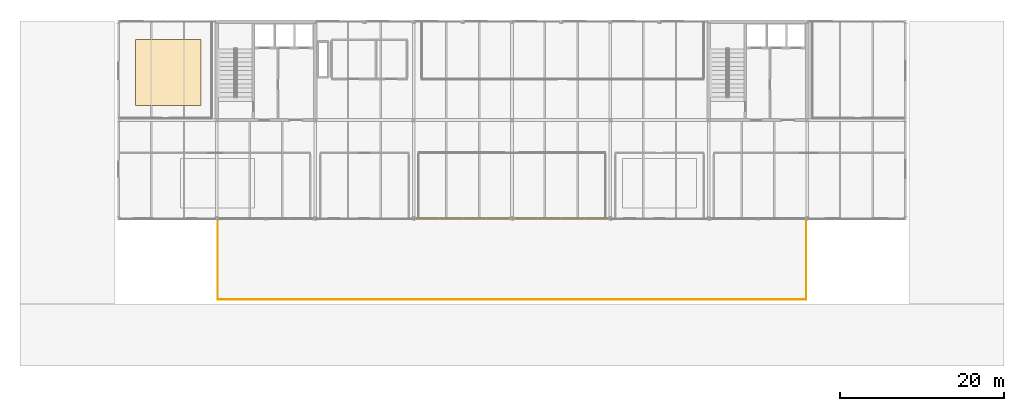
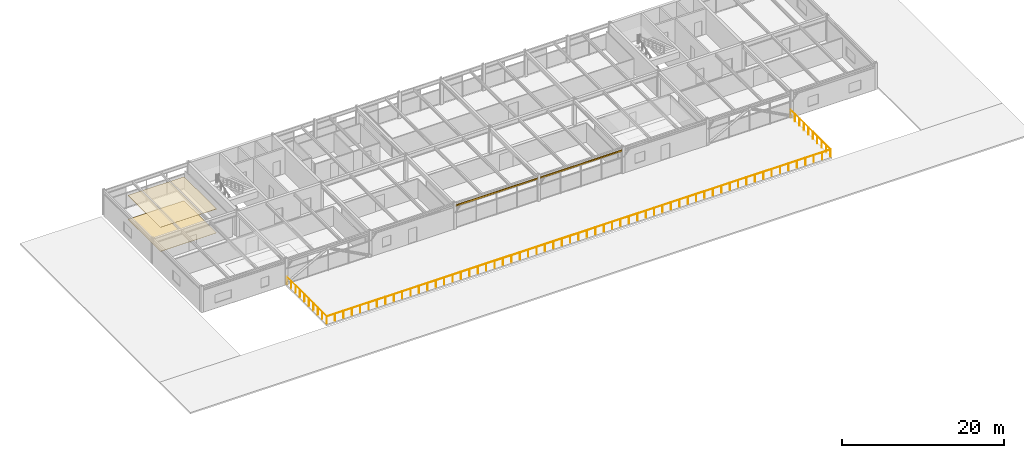
# One storey, part 28 of 30: 2 coverings, 2 shading devices, 1 railing.
"""IFC4 building model written with IfcOpenShell, lengths in metres."""

from ifc_helpers import new_model, si_unit, direction, frame, origin, origin_2d, place, context, subcontext, project, spatial, rectangle, circle, extrude, material, layer, layer_set, type_object, element, save


model = new_model("IFC4")

# Units and contexts
model_context = context("Model", 3, precision=1e-05, world=origin(), true_north=direction((0.0, 1.0)))
body_context = subcontext(model_context, "Body", "Model", "MODEL_VIEW")
ifc_project = project(units=[si_unit("LENGTHUNIT", "METRE"), si_unit("AREAUNIT", "SQUARE_METRE"), si_unit("VOLUMEUNIT", "CUBIC_METRE"), si_unit("PLANEANGLEUNIT", "RADIAN"), si_unit("MASSUNIT", "GRAM", prefix="KILO")], contexts=[model_context])

# Site, building, storey
site_placement = place(None, origin())
site = spatial("IfcSite", under=ifc_project, at=site_placement, CompositionType="ELEMENT")
building_placement = place(site_placement, origin())
building = spatial("IfcBuilding", under=site, at=building_placement, Name="Girod Span Mobility Hub", CompositionType="ELEMENT")
storey_placement = place(building_placement, frame((0.0, 0.0, 49.60009765625)))
storey = spatial("IfcBuildingStorey", under=building, at=storey_placement, Name="L12", CompositionType="ELEMENT", Elevation=49.60009765625)

# Coverings
ifc_material_1 = material(Name="Perforated Mineral-Fibre Acoustic Ceiling Tile", Category="mineral")
ifc_layer_1 = layer(ifc_material_1, 0.0400390625)
ifc_layer_set_1 = layer_set([ifc_layer_1], Name="Perforated Mineral-Fibre Acoustic Ceiling Tile")
covering_type_1 = type_object("IfcCoveringType", Name="COV-CLG-800X800", PredefinedType="CEILING", material=ifc_layer_set_1)
covering_1_placement = place(storey_placement, frame((42.10009765625, 62.800048828125, 3.60498046875), z_axis=(0.0, 0.0, 1.0), x_axis=(1.0, 0.0, 0.0)))
element("IfcCovering", 1, at=covering_1_placement, inside=storey, type_object=covering_type_1, Name="Planning Studio North West L12 Acoustic Ceiling", PredefinedType="CEILING", context=body_context, shape_type="SweptSolid", body=[
    extrude(rectangle(XDim=8.0, YDim=8.0, at=origin_2d()), origin(), (0.0, 0.0, 1.0), 0.0400390625),
])
ifc_material_2 = material(Name="Epoxy Terrazzo and Raised Access Flooring", Category="polymer")
ifc_layer_2 = layer(ifc_material_2, 0.034912109375)
ifc_layer_set_2 = layer_set([ifc_layer_2], Name="Epoxy Terrazzo and Raised Access Flooring")
covering_type_2 = type_object("IfcCoveringType", Name="COV-FLR-800X800", PredefinedType="FLOORING", material=ifc_layer_set_2)
covering_2_placement = place(storey_placement, frame((42.10009765625, 62.800048828125, 0.0), z_axis=(0.0, 0.0, 1.0), x_axis=(1.0, 0.0, 0.0)))
element("IfcCovering", 2, at=covering_2_placement, inside=storey, type_object=covering_type_2, Name="Planning Studio North West L12 Floor Finish", PredefinedType="FLOORING", context=body_context, shape_type="SweptSolid", body=[
    extrude(rectangle(XDim=8.0, YDim=8.0, at=origin_2d()), origin(), (0.0, 0.0, 1.0), 0.034912109375),
])

# Railing
ifc_material_3 = material(Name="Anodised Aluminium Alloy 6063-T6", Category="aluminium")
ifc_layer_3 = layer(ifc_material_3, 0.070068359375)
ifc_layer_set_3 = layer_set([ifc_layer_3], Name="Anodised Aluminium Alloy 6063-T6")
railing_type = type_object("IfcRailingType", Name="RL-BAL-1140", PredefinedType="BALUSTRADE", material=ifc_layer_set_3)
railing_placement = place(storey_placement, frame((48.1201171875, 44.9599609375, 0.0)))
element("IfcRailing", 3, at=railing_placement, inside=storey, type_object=railing_type, Name="South Boulevard Sky Terrace Perimeter Balustrade", PredefinedType="BALUSTRADE", context=body_context, shape_type="SweptSolid", body=[
    extrude(circle(Radius=0.02392578125, at=origin_2d()), frame((0.0, 0.0, 1.11572265625), z_axis=(0.0, -1.0, 0.0), x_axis=(1.0, 0.0, 0.0)), (0.0, 0.0, 1.0), 9.83984375),
    extrude(circle(Radius=0.02392578125, at=origin_2d()), frame((0.0, -9.83984375, 1.11572265625), z_axis=(1.0, 0.0, 0.0), x_axis=(0.0, 1.0, 0.0)), (0.0, 0.0, 1.0), 71.759765625),
    extrude(circle(Radius=0.02392578125, at=origin_2d()), frame((71.759765625, -9.83984375, 1.11572265625), z_axis=(0.0, 1.0, 0.0), x_axis=(-1.0, 0.0, 0.0)), (0.0, 0.0, 1.0), 9.83984375),
    extrude(circle(Radius=0.02099609375, at=origin_2d()), origin(), (0.0, 0.0, 1.0), 1.091796875),
    extrude(circle(Radius=0.02099609375, at=origin_2d()), frame((0.0, -1.09326171875, 0.0)), (0.0, 0.0, 1.0), 1.091796875),
    extrude(circle(Radius=0.02099609375, at=origin_2d()), frame((0.0, -2.1865234375, 0.0)), (0.0, 0.0, 1.0), 1.091796875),
    extrude(circle(Radius=0.02099609375, at=origin_2d()), frame((0.0, -3.280029296875, 0.0)), (0.0, 0.0, 1.0), 1.091796875),
    extrude(circle(Radius=0.02099609375, at=origin_2d()), frame((0.0, -4.373291015625, 0.0)), (0.0, 0.0, 1.0), 1.091796875),
    extrude(circle(Radius=0.02099609375, at=origin_2d()), frame((0.0, -5.466552734375, 0.0)), (0.0, 0.0, 1.0), 1.091796875),
    extrude(circle(Radius=0.02099609375, at=origin_2d()), frame((0.0, -6.559814453125, 0.0)), (0.0, 0.0, 1.0), 1.091796875),
    extrude(circle(Radius=0.02099609375, at=origin_2d()), frame((0.0, -7.6533203125, 0.0)), (0.0, 0.0, 1.0), 1.091796875),
    extrude(circle(Radius=0.02099609375, at=origin_2d()), frame((0.0, -8.74658203125, 0.0)), (0.0, 0.0, 1.0), 1.091796875),
    extrude(circle(Radius=0.02099609375, at=origin_2d()), frame((0.0, -9.83984375, 0.0)), (0.0, 0.0, 1.0), 1.091796875),
    extrude(circle(Radius=0.02099609375, at=origin_2d()), frame((1.196044921875, -9.83984375, 0.0)), (0.0, 0.0, 1.0), 1.091796875),
    extrude(circle(Radius=0.02099609375, at=origin_2d()), frame((2.39208984375, -9.83984375, 0.0)), (0.0, 0.0, 1.0), 1.091796875),
    extrude(circle(Radius=0.02099609375, at=origin_2d()), frame((3.587890625, -9.83984375, 0.0)), (0.0, 0.0, 1.0), 1.091796875),
    extrude(circle(Radius=0.02099609375, at=origin_2d()), frame((4.783935546875, -9.83984375, 0.0)), (0.0, 0.0, 1.0), 1.091796875),
    extrude(circle(Radius=0.02099609375, at=origin_2d()), frame((5.97998046875, -9.83984375, 0.0)), (0.0, 0.0, 1.0), 1.091796875),
    extrude(circle(Radius=0.02099609375, at=origin_2d()), frame((7.176025390625, -9.83984375, 0.0)), (0.0, 0.0, 1.0), 1.091796875),
    extrude(circle(Radius=0.02099609375, at=origin_2d()), frame((8.3720703125, -9.83984375, 0.0)), (0.0, 0.0, 1.0), 1.091796875),
    extrude(circle(Radius=0.02099609375, at=origin_2d()), frame((9.56787109375, -9.83984375, 0.0)), (0.0, 0.0, 1.0), 1.091796875),
    extrude(circle(Radius=0.02099609375, at=origin_2d()), frame((10.763916015625, -9.83984375, 0.0)), (0.0, 0.0, 1.0), 1.091796875),
    extrude(circle(Radius=0.02099609375, at=origin_2d()), frame((11.9599609375, -9.83984375, 0.0)), (0.0, 0.0, 1.0), 1.091796875),
    extrude(circle(Radius=0.02099609375, at=origin_2d()), frame((13.156005859375, -9.83984375, 0.0)), (0.0, 0.0, 1.0), 1.091796875),
    extrude(circle(Radius=0.02099609375, at=origin_2d()), frame((14.35205078125, -9.83984375, 0.0)), (0.0, 0.0, 1.0), 1.091796875),
    extrude(circle(Radius=0.02099609375, at=origin_2d()), frame((15.5478515625, -9.83984375, 0.0)), (0.0, 0.0, 1.0), 1.091796875),
    extrude(circle(Radius=0.02099609375, at=origin_2d()), frame((16.743896484375, -9.83984375, 0.0)), (0.0, 0.0, 1.0), 1.091796875),
    extrude(circle(Radius=0.02099609375, at=origin_2d()), frame((17.93994140625, -9.83984375, 0.0)), (0.0, 0.0, 1.0), 1.091796875),
    extrude(circle(Radius=0.02099609375, at=origin_2d()), frame((19.135986328125, -9.83984375, 0.0)), (0.0, 0.0, 1.0), 1.091796875),
    extrude(circle(Radius=0.02099609375, at=origin_2d()), frame((20.33203125, -9.83984375, 0.0)), (0.0, 0.0, 1.0), 1.091796875),
    extrude(circle(Radius=0.02099609375, at=origin_2d()), frame((21.52783203125, -9.83984375, 0.0)), (0.0, 0.0, 1.0), 1.091796875),
    extrude(circle(Radius=0.02099609375, at=origin_2d()), frame((22.723876953125, -9.83984375, 0.0)), (0.0, 0.0, 1.0), 1.091796875),
    extrude(circle(Radius=0.02099609375, at=origin_2d()), frame((23.919921875, -9.83984375, 0.0)), (0.0, 0.0, 1.0), 1.091796875),
    extrude(circle(Radius=0.02099609375, at=origin_2d()), frame((25.115966796875, -9.83984375, 0.0)), (0.0, 0.0, 1.0), 1.091796875),
    extrude(circle(Radius=0.02099609375, at=origin_2d()), frame((26.31201171875, -9.83984375, 0.0)), (0.0, 0.0, 1.0), 1.091796875),
    extrude(circle(Radius=0.02099609375, at=origin_2d()), frame((27.5078125, -9.83984375, 0.0)), (0.0, 0.0, 1.0), 1.091796875),
    extrude(circle(Radius=0.02099609375, at=origin_2d()), frame((28.703857421875, -9.83984375, 0.0)), (0.0, 0.0, 1.0), 1.091796875),
    extrude(circle(Radius=0.02099609375, at=origin_2d()), frame((29.89990234375, -9.83984375, 0.0)), (0.0, 0.0, 1.0), 1.091796875),
    extrude(circle(Radius=0.02099609375, at=origin_2d()), frame((31.095947265625, -9.83984375, 0.0)), (0.0, 0.0, 1.0), 1.091796875),
    extrude(circle(Radius=0.02099609375, at=origin_2d()), frame((32.2919921875, -9.83984375, 0.0)), (0.0, 0.0, 1.0), 1.091796875),
    extrude(circle(Radius=0.02099609375, at=origin_2d()), frame((33.48779296875, -9.83984375, 0.0)), (0.0, 0.0, 1.0), 1.091796875),
    extrude(circle(Radius=0.02099609375, at=origin_2d()), frame((34.683837890625, -9.83984375, 0.0)), (0.0, 0.0, 1.0), 1.091796875),
    extrude(circle(Radius=0.02099609375, at=origin_2d()), frame((35.8798828125, -9.83984375, 0.0)), (0.0, 0.0, 1.0), 1.091796875),
    extrude(circle(Radius=0.02099609375, at=origin_2d()), frame((37.075927734375, -9.83984375, 0.0)), (0.0, 0.0, 1.0), 1.091796875),
    extrude(circle(Radius=0.02099609375, at=origin_2d()), frame((38.27197265625, -9.83984375, 0.0)), (0.0, 0.0, 1.0), 1.091796875),
    extrude(circle(Radius=0.02099609375, at=origin_2d()), frame((39.4677734375, -9.83984375, 0.0)), (0.0, 0.0, 1.0), 1.091796875),
    extrude(circle(Radius=0.02099609375, at=origin_2d()), frame((40.663818359375, -9.83984375, 0.0)), (0.0, 0.0, 1.0), 1.091796875),
    extrude(circle(Radius=0.02099609375, at=origin_2d()), frame((41.85986328125, -9.83984375, 0.0)), (0.0, 0.0, 1.0), 1.091796875),
    extrude(circle(Radius=0.02099609375, at=origin_2d()), frame((43.055908203125, -9.83984375, 0.0)), (0.0, 0.0, 1.0), 1.091796875),
    extrude(circle(Radius=0.02099609375, at=origin_2d()), frame((44.251953125, -9.83984375, 0.0)), (0.0, 0.0, 1.0), 1.091796875),
    extrude(circle(Radius=0.02099609375, at=origin_2d()), frame((45.44775390625, -9.83984375, 0.0)), (0.0, 0.0, 1.0), 1.091796875),
    extrude(circle(Radius=0.02099609375, at=origin_2d()), frame((46.643798828125, -9.83984375, 0.0)), (0.0, 0.0, 1.0), 1.091796875),
    extrude(circle(Radius=0.02099609375, at=origin_2d()), frame((47.83984375, -9.83984375, 0.0)), (0.0, 0.0, 1.0), 1.091796875),
    extrude(circle(Radius=0.02099609375, at=origin_2d()), frame((49.035888671875, -9.83984375, 0.0)), (0.0, 0.0, 1.0), 1.091796875),
    extrude(circle(Radius=0.02099609375, at=origin_2d()), frame((50.23193359375, -9.83984375, 0.0)), (0.0, 0.0, 1.0), 1.091796875),
    extrude(circle(Radius=0.02099609375, at=origin_2d()), frame((51.427734375, -9.83984375, 0.0)), (0.0, 0.0, 1.0), 1.091796875),
    extrude(circle(Radius=0.02099609375, at=origin_2d()), frame((52.623779296875, -9.83984375, 0.0)), (0.0, 0.0, 1.0), 1.091796875),
    extrude(circle(Radius=0.02099609375, at=origin_2d()), frame((53.81982421875, -9.83984375, 0.0)), (0.0, 0.0, 1.0), 1.091796875),
    extrude(circle(Radius=0.02099609375, at=origin_2d()), frame((55.015869140625, -9.83984375, 0.0)), (0.0, 0.0, 1.0), 1.091796875),
    extrude(circle(Radius=0.02099609375, at=origin_2d()), frame((56.2119140625, -9.83984375, 0.0)), (0.0, 0.0, 1.0), 1.091796875),
    extrude(circle(Radius=0.02099609375, at=origin_2d()), frame((57.40771484375, -9.83984375, 0.0)), (0.0, 0.0, 1.0), 1.091796875),
    extrude(circle(Radius=0.02099609375, at=origin_2d()), frame((58.603759765625, -9.83984375, 0.0)), (0.0, 0.0, 1.0), 1.091796875),
    extrude(circle(Radius=0.02099609375, at=origin_2d()), frame((59.7998046875, -9.83984375, 0.0)), (0.0, 0.0, 1.0), 1.091796875),
    extrude(circle(Radius=0.02099609375, at=origin_2d()), frame((60.995849609375, -9.83984375, 0.0)), (0.0, 0.0, 1.0), 1.091796875),
    extrude(circle(Radius=0.02099609375, at=origin_2d()), frame((62.19189453125, -9.83984375, 0.0)), (0.0, 0.0, 1.0), 1.091796875),
    extrude(circle(Radius=0.02099609375, at=origin_2d()), frame((63.3876953125, -9.83984375, 0.0)), (0.0, 0.0, 1.0), 1.091796875),
    extrude(circle(Radius=0.02099609375, at=origin_2d()), frame((64.583740234375, -9.83984375, 0.0)), (0.0, 0.0, 1.0), 1.091796875),
    extrude(circle(Radius=0.02099609375, at=origin_2d()), frame((65.77978515625, -9.83984375, 0.0)), (0.0, 0.0, 1.0), 1.091796875),
    extrude(circle(Radius=0.02099609375, at=origin_2d()), frame((66.975830078125, -9.83984375, 0.0)), (0.0, 0.0, 1.0), 1.091796875),
    extrude(circle(Radius=0.02099609375, at=origin_2d()), frame((68.171875, -9.83984375, 0.0)), (0.0, 0.0, 1.0), 1.091796875),
    extrude(circle(Radius=0.02099609375, at=origin_2d()), frame((69.36767578125, -9.83984375, 0.0)), (0.0, 0.0, 1.0), 1.091796875),
    extrude(circle(Radius=0.02099609375, at=origin_2d()), frame((70.563720703125, -9.83984375, 0.0)), (0.0, 0.0, 1.0), 1.091796875),
    extrude(circle(Radius=0.02099609375, at=origin_2d()), frame((71.759765625, -9.83984375, 0.0)), (0.0, 0.0, 1.0), 1.091796875),
    extrude(circle(Radius=0.02099609375, at=origin_2d()), frame((71.759765625, -8.74658203125, 0.0)), (0.0, 0.0, 1.0), 1.091796875),
    extrude(circle(Radius=0.02099609375, at=origin_2d()), frame((71.759765625, -7.6533203125, 0.0)), (0.0, 0.0, 1.0), 1.091796875),
    extrude(circle(Radius=0.02099609375, at=origin_2d()), frame((71.759765625, -6.559814453125, 0.0)), (0.0, 0.0, 1.0), 1.091796875),
    extrude(circle(Radius=0.02099609375, at=origin_2d()), frame((71.759765625, -5.466552734375, 0.0)), (0.0, 0.0, 1.0), 1.091796875),
    extrude(circle(Radius=0.02099609375, at=origin_2d()), frame((71.759765625, -4.373291015625, 0.0)), (0.0, 0.0, 1.0), 1.091796875),
    extrude(circle(Radius=0.02099609375, at=origin_2d()), frame((71.759765625, -3.280029296875, 0.0)), (0.0, 0.0, 1.0), 1.091796875),
    extrude(circle(Radius=0.02099609375, at=origin_2d()), frame((71.759765625, -2.1865234375, 0.0)), (0.0, 0.0, 1.0), 1.091796875),
    extrude(circle(Radius=0.02099609375, at=origin_2d()), frame((71.759765625, -1.09326171875, 0.0)), (0.0, 0.0, 1.0), 1.091796875),
    extrude(circle(Radius=0.02099609375, at=origin_2d()), frame((71.759765625, 0.0, 0.0)), (0.0, 0.0, 1.0), 1.091796875),
])

# Shading devices
ifc_material_4 = material(Name="Aluminium 6063-T6", Category="aluminium")
ifc_layer_4 = layer(ifc_material_4, 0.030029296875)
ifc_layer_set_4 = layer_set([ifc_layer_4], Name="Aluminium 6063-T6")
shading_device_type = type_object("IfcShadingDeviceType", Name="SHD-SHT-11635X260X30", PredefinedType="SHUTTER", material=ifc_layer_set_4)
for number, where, z_axis, x_axis, name in (
    (4, (78.0, 44.919921875, 3.28076171875), (0.0, 0.0, 1.0), (1.0, 0.0, 0.0), "External Solar Shading Blade 7 L12"),
    (5, (90.0, 44.919921875, 3.28076171875), (0.0, 0.0, 1.0), (1.0, 0.0, 0.0), "External Solar Shading Blade 8 L12"),
):
    element("IfcShadingDevice", number, at=place(storey_placement, frame(where, z_axis=z_axis, x_axis=x_axis)), inside=storey, type_object=shading_device_type, Name=name, PredefinedType="SHUTTER", context=body_context, shape_type="SweptSolid", body=[
        extrude(rectangle(XDim=11.635009765625, YDim=0.030029296875, at=origin_2d()), origin(), (0.0, 0.0, 1.0), 0.260009765625),
    ])

save(model, "model.ifc")
